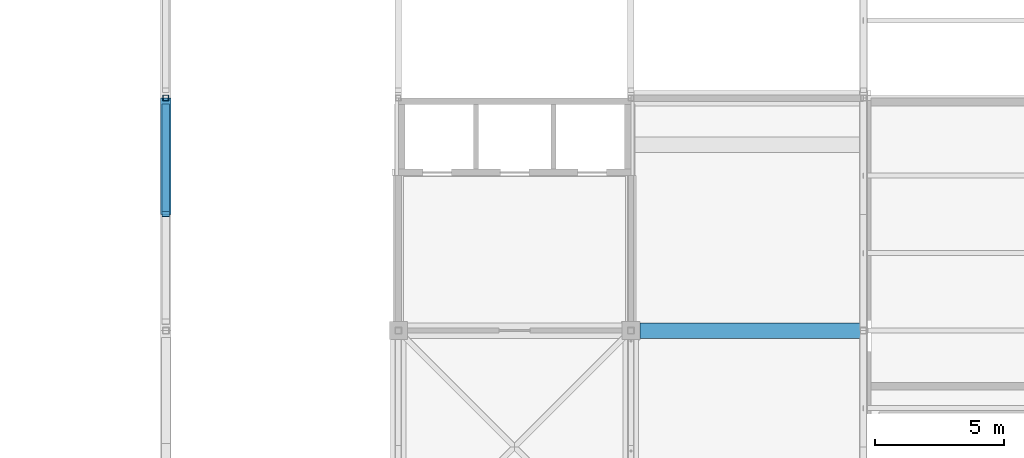
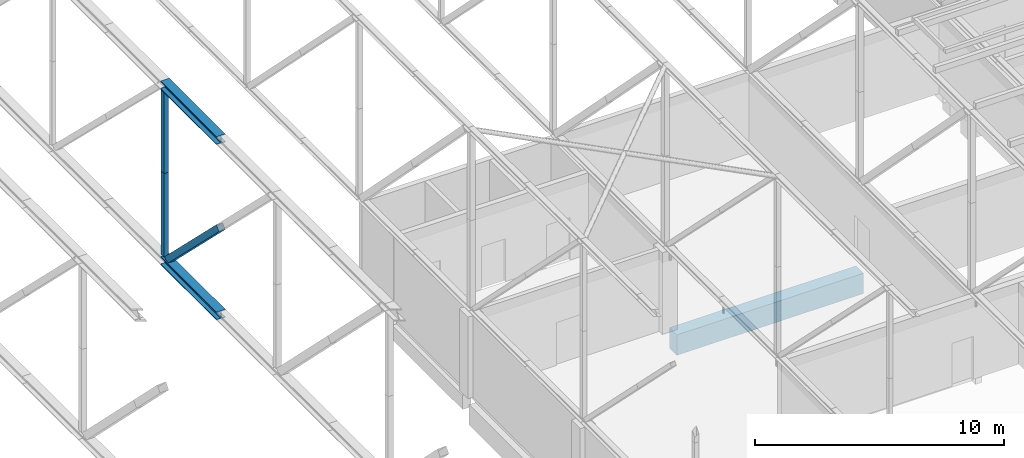
# One storey, part 47 of 646: 5 members, 1 beam.
"""IFC4 building model written with IfcOpenShell, lengths in metres."""

from ifc_helpers import new_model, si_unit, direction, frame, origin, origin_2d, place, context, subcontext, project, spatial, rectangle, hollow_rectangle, i_section, extrude, material, material_profile, profile_set, type_object, element, save


model = new_model("IFC4")

# Units and contexts
model_context = context("Model", 3, precision=1e-05, world=origin(), true_north=direction((0.0, 1.0)))
body_context = subcontext(model_context, "Body", "Model", "MODEL_VIEW")
ifc_project = project(units=[si_unit("LENGTHUNIT", "METRE"), si_unit("AREAUNIT", "SQUARE_METRE"), si_unit("VOLUMEUNIT", "CUBIC_METRE"), si_unit("PLANEANGLEUNIT", "RADIAN"), si_unit("MASSUNIT", "GRAM", prefix="KILO")], contexts=[model_context])

# Site, building, storey
site_placement = place(None, origin())
site = spatial("IfcSite", under=ifc_project, at=site_placement, CompositionType="ELEMENT")
building_placement = place(site_placement, origin())
building = spatial("IfcBuilding", under=site, at=building_placement, Name="Silverbay Arena", CompositionType="ELEMENT")
storey_placement = place(building_placement, frame((0.0, 0.0, 33.5)))
storey = spatial("IfcBuildingStorey", under=building, at=storey_placement, Name="L05", CompositionType="ELEMENT", Elevation=33.5)

# Members
ifc_material_1 = material(Name="Steel S355", Category="steel")
ifc_material_profile_1 = material_profile(ifc_material_1, i_section(OverallWidth=0.403076171875, OverallDepth=0.406494140625, WebThickness=0.026611328125, FlangeThickness=0.04296875, at=origin_2d()), Name="UC 356x406x340")
ifc_profile_set_1 = profile_set([ifc_material_profile_1], Name="Steel S355")
member_type_1 = type_object("IfcMemberType", Name="Main-span bottom chord UC 356x406x340", PredefinedType="CHORD", material=ifc_profile_set_1)
member_1_placement = place(storey_placement, frame((153.0, 58.5, 4.203125), z_axis=(0.0, 1.0, 0.0), x_axis=(-1.0, 0.0, 0.0)))
element("IfcMember", 1, at=member_1_placement, inside=storey, type_object=member_type_1, Name="ROOF TRUSS 18 bottom chord 06b", PredefinedType="CHORD", context=body_context, shape_type="SweptSolid", body=[
    extrude(i_section(OverallWidth=0.403076171875, OverallDepth=0.406494140625, WebThickness=0.026611328125, FlangeThickness=0.04296875, at=origin_2d()), origin(), (0.0, 0.0, 1.0), 4.5),
])
ifc_material_2 = material(Name="Steel S355", Category="steel")
ifc_material_profile_2 = material_profile(ifc_material_2, i_section(OverallWidth=0.403076171875, OverallDepth=0.406494140625, WebThickness=0.026611328125, FlangeThickness=0.04296875, at=origin_2d()), Name="UC 356x406x340")
ifc_profile_set_2 = profile_set([ifc_material_profile_2], Name="Steel S355")
member_type_2 = type_object("IfcMemberType", Name="Main-span top chord UC 356x406x340", PredefinedType="CHORD", material=ifc_profile_set_2)
member_2_placement = place(storey_placement, frame((153.0, 58.5, 12.796875), z_axis=(0.0, 1.0, 0.0), x_axis=(-1.0, 0.0, 0.0)))
element("IfcMember", 2, at=member_2_placement, inside=storey, type_object=member_type_2, Name="ROOF TRUSS 18 top chord 06b", PredefinedType="CHORD", context=body_context, shape_type="SweptSolid", body=[
    extrude(i_section(OverallWidth=0.403076171875, OverallDepth=0.406494140625, WebThickness=0.026611328125, FlangeThickness=0.04296875, at=origin_2d()), origin(), (0.0, 0.0, 1.0), 4.5),
])
ifc_material_3 = material(Name="Steel S355", Category="steel")
ifc_material_profile_3 = material_profile(ifc_material_3, hollow_rectangle(XDim=0.300048828125, YDim=0.300048828125, WallThickness=0.012451171875, at=origin_2d()), Name="SHS 300x300x12.5")
ifc_profile_set_3 = profile_set([ifc_material_profile_3], Name="Steel S355")
member_type_3 = type_object("IfcMemberType", Name="Main-span truss diagonal SHS 300x300x12.5", PredefinedType="BRACE", material=ifc_profile_set_3)
member_3_placement = place(storey_placement, frame((153.0, 58.507568359375, 8.5), z_axis=(0.0, 0.71273186468, -0.701436589487), x_axis=(-1.0, 0.0, 0.0)))
element("IfcMember", 3, at=member_3_placement, inside=storey, type_object=member_type_3, Name="ROOF TRUSS 18 diagonal 06b", PredefinedType="BRACE", context=body_context, shape_type="SweptSolid", body=[
    extrude(hollow_rectangle(XDim=0.300048828125, YDim=0.300048828125, WallThickness=0.012451171875, at=origin_2d()), origin(), (0.0, 0.0, 1.0), 5.8359375),
])
ifc_material_4 = material(Name="Steel S355", Category="steel")
ifc_material_profile_4 = material_profile(ifc_material_4, hollow_rectangle(XDim=0.219970703125, YDim=0.219970703125, WallThickness=0.008056640625, at=origin_2d()), Name="SHS 220x220x8")
ifc_profile_set_4 = profile_set([ifc_material_profile_4], Name="Steel S355")
member_type_4 = type_object("IfcMemberType", Name="Main-span truss vertical SHS 220x220x8", PredefinedType="STRUT", material=ifc_profile_set_4)
member_4_placement = place(storey_placement, frame((153.0, 63.0, 4.406494140625), z_axis=(0.0, 0.0, 1.0), x_axis=(1.0, 0.0, 0.0)))
element("IfcMember", 4, at=member_4_placement, inside=storey, type_object=member_type_4, Name="ROOF TRUSS 18 vertical 07a", PredefinedType="STRUT", context=body_context, shape_type="SweptSolid", body=[
    extrude(hollow_rectangle(XDim=0.219970703125, YDim=0.219970703125, WallThickness=0.008056640625, at=origin_2d()), origin(), (0.0, 0.0, 1.0), 4.087158203125),
])
member_5_placement = place(storey_placement, frame((153.0, 63.0, 8.49365234375), z_axis=(0.0, 0.0, 1.0), x_axis=(1.0, 0.0, 0.0)))
element("IfcMember", 5, at=member_5_placement, inside=storey, type_object=member_type_4, Name="ROOF TRUSS 18 vertical 07b", PredefinedType="STRUT", context=body_context, shape_type="SweptSolid", body=[
    extrude(hollow_rectangle(XDim=0.219970703125, YDim=0.219970703125, WallThickness=0.008056640625, at=origin_2d()), origin(), (0.0, 0.0, 1.0), 4.08740234375),
])

# Beam
ifc_material_5 = material(Name="Concrete Grade C45", Category="concrete")
ifc_material_profile_5 = material_profile(ifc_material_5, rectangle(XDim=0.60009765625, YDim=1.0, at=origin_2d()), Name="RC 600x1000")
ifc_profile_set_5 = profile_set([ifc_material_profile_5], Name="Concrete Grade C45")
beam_type = type_object("IfcBeamType", Name="RC beam 600x1000", PredefinedType="BEAM", material=ifc_profile_set_5)
beam_placement = place(storey_placement, frame((171.35009765625, 54.0, -0.800048828125), z_axis=(1.0, 0.0, 0.0), x_axis=(0.0, 1.0, 0.0)))
element("IfcBeam", 6, at=beam_placement, inside=storey, type_object=beam_type, Name="Floor beam L05 023", PredefinedType="BEAM", context=body_context, shape_type="SweptSolid", body=[
    extrude(rectangle(XDim=0.60009765625, YDim=1.0, at=origin_2d()), origin(), (0.0, 0.0, 1.0), 8.64990234375),
])

save(model, "model.ifc")
